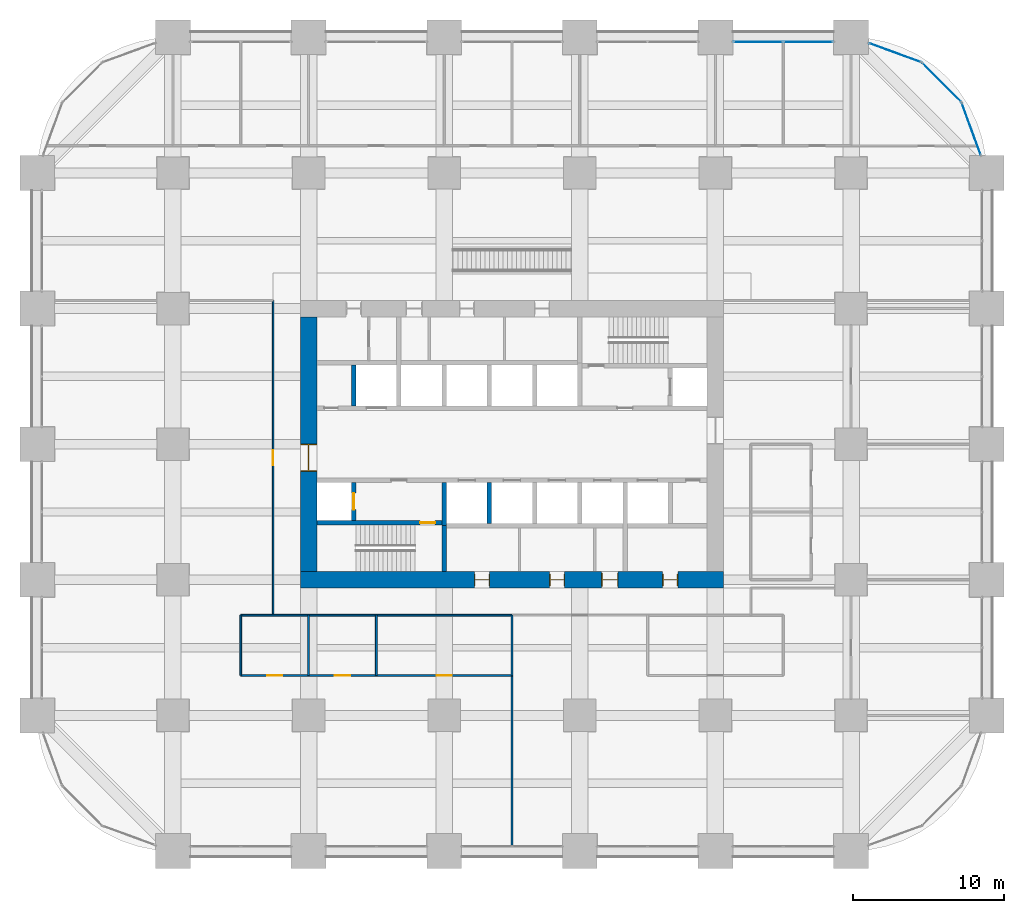
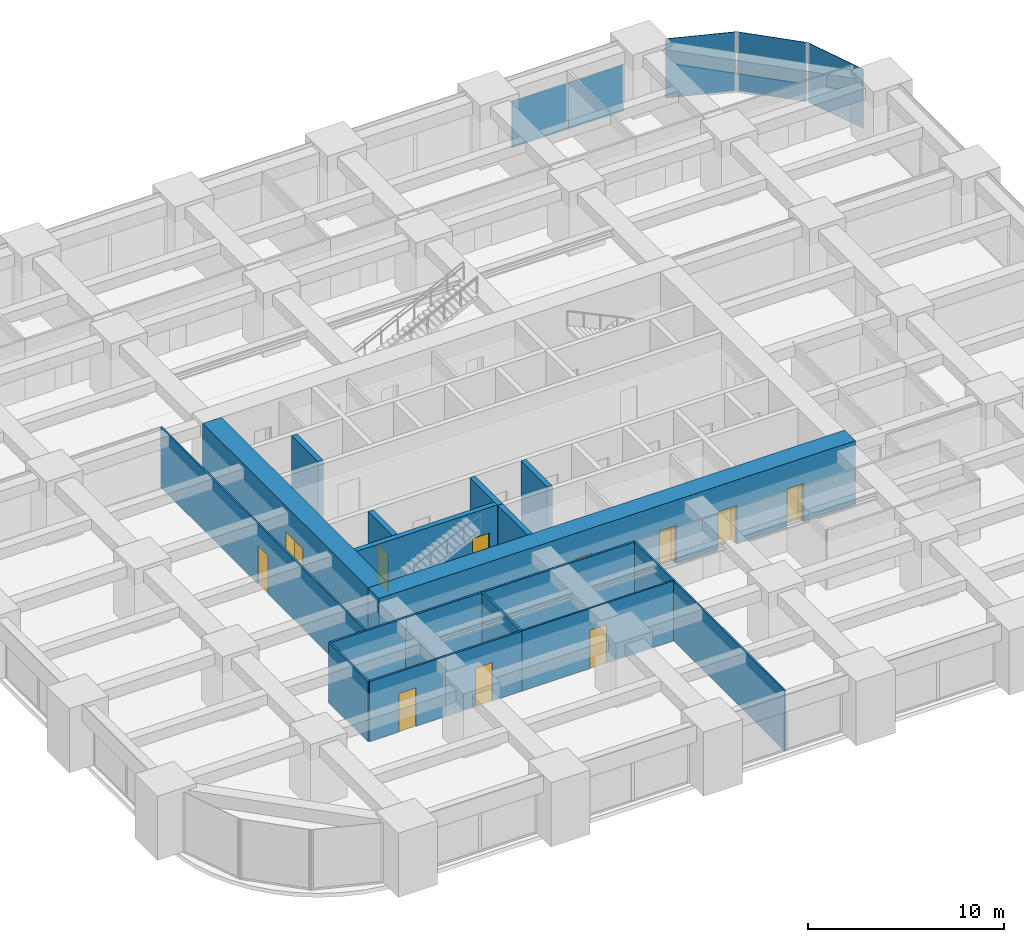
# One storey, part 39 of 44: 20 walls, 11 doors, 5 plates, 11 openings, 4 elements without a shape of their own.
"""IFC4 building model written with IfcOpenShell, lengths in metres."""

from ifc_helpers import new_model, si_unit, direction, frame, frame_2d, origin, origin_2d, place, context, subcontext, project, spatial, rectangle, extrude, material, layer, layer_set, type_object, element, fill, aggregate, save


model = new_model("IFC4")

# Units and contexts
model_context = context("Model", 3, precision=1e-05, world=origin(), true_north=direction((0.0, 1.0)))
body_context = subcontext(model_context, "Body", "Model", "MODEL_VIEW")
ifc_project = project(units=[si_unit("LENGTHUNIT", "METRE"), si_unit("AREAUNIT", "SQUARE_METRE"), si_unit("VOLUMEUNIT", "CUBIC_METRE"), si_unit("PLANEANGLEUNIT", "RADIAN"), si_unit("MASSUNIT", "GRAM", prefix="KILO")], contexts=[model_context])

# Site, building, storey
site_placement = place(None, origin())
site = spatial("IfcSite", under=ifc_project, at=site_placement, CompositionType="ELEMENT")
building_placement = place(site_placement, origin())
building = spatial("IfcBuilding", under=site, at=building_placement, Name="Zorevar Civic Tower", CompositionType="ELEMENT")
storey_placement = place(building_placement, frame((0.0, 0.0, 59.800048828125)))
storey = spatial("IfcBuildingStorey", under=building, at=storey_placement, Name="L14", CompositionType="ELEMENT", Elevation=59.800048828125)

# Curtain wall, plates
ifc_material_1 = material(Name="Dark grey solar-control glass in black aluminium frame", Category="aluminium")
curtain_wall_type = type_object("IfcCurtainWallType", Name="Curtain wall CW2 low zone", PredefinedType="NOTDEFINED", material=ifc_material_1)
curtain_wall_1_placement = place(storey_placement, origin())
curtain_wall_1 = element("IfcCurtainWall", 1, at=curtain_wall_1_placement, inside=storey, type_object=curtain_wall_type, Name="CW2 L14", PredefinedType="NOTDEFINED")
ifc_material_2 = material(Name="Dark grey solar-control glass", Category="glass")
ifc_layer_1 = layer(ifc_material_2, 0.031982421875)
ifc_layer_set_1 = layer_set([ifc_layer_1], Name="CW2 panel 32")
plate_type = type_object("IfcPlateType", Name="CW2 panel 32", PredefinedType="CURTAIN_PANEL", material=ifc_layer_set_1)
plate_1_placement = place(storey_placement, frame((47.840087890625, 53.699951171875, 0.06005859375), z_axis=(0.0, 0.0, 1.0), x_axis=(1.0, 0.0, 0.0)))
plate_1 = element("IfcPlate", 2, at=plate_1_placement, type_object=plate_type, Name="CW2 panel 1.1", PredefinedType="CURTAIN_PANEL", context=body_context, shape_type="SweptSolid", body=[
    extrude(rectangle(XDim=3.260009765625, YDim=0.031982421875, at=origin_2d()), origin(), (0.0, 0.0, 1.0), 2.889892578125),
])
plate_2_placement = place(storey_placement, frame((51.159912109375, 53.699951171875, 0.06005859375), z_axis=(0.0, 0.0, 1.0), x_axis=(1.0, 0.0, 0.0)))
plate_2 = element("IfcPlate", 3, at=plate_2_placement, type_object=plate_type, Name="CW2 panel 2.1", PredefinedType="CURTAIN_PANEL", context=body_context, shape_type="SweptSolid", body=[
    extrude(rectangle(XDim=3.260009765625, YDim=0.031982421875, at=origin_2d()), origin(), (0.0, 0.0, 1.0), 2.889892578125),
])
aggregate(curtain_wall_1, [plate_1, plate_2])

# Curtain wall, plate
curtain_wall_2_placement = place(storey_placement, origin())
curtain_wall_2 = element("IfcCurtainWall", 4, at=curtain_wall_2_placement, inside=storey, type_object=curtain_wall_type, Name="CW2 L14", PredefinedType="NOTDEFINED")
plate_3_placement = place(storey_placement, frame((61.979248046875, 47.914306640625, 0.06005859375), z_axis=(0.0, 0.0, 1.0), x_axis=(-0.343060400701, 0.939313345732, 0.0)))
plate_3 = element("IfcPlate", 5, at=plate_3_placement, type_object=plate_type, Name="CW2 panel 1.1", PredefinedType="CURTAIN_PANEL", context=body_context, shape_type="SweptSolid", body=[
    extrude(rectangle(XDim=3.636474609375, YDim=0.031982421875, at=origin_2d()), origin(), (0.0, 0.0, 1.0), 3.68994140625),
])
aggregate(curtain_wall_2, [plate_3])

curtain_wall_3_placement = place(storey_placement, origin())
curtain_wall_3 = element("IfcCurtainWall", 6, at=curtain_wall_3_placement, inside=storey, type_object=curtain_wall_type, Name="CW2 L14", PredefinedType="NOTDEFINED")
plate_4_placement = place(storey_placement, frame((60.0068359375, 51.0068359375, 0.06005859375), z_axis=(0.0, 0.0, 1.0), x_axis=(-0.707106781187, 0.707106781187, 0.0)))
plate_4 = element("IfcPlate", 7, at=plate_4_placement, type_object=plate_type, Name="CW2 panel 1.1", PredefinedType="CURTAIN_PANEL", context=body_context, shape_type="SweptSolid", body=[
    extrude(rectangle(XDim=3.636474609375, YDim=0.031982421875, at=origin_2d()), origin(), (0.0, 0.0, 1.0), 3.68994140625),
])
aggregate(curtain_wall_3, [plate_4])

curtain_wall_4_placement = place(storey_placement, origin())
curtain_wall_4 = element("IfcCurtainWall", 8, at=curtain_wall_4_placement, inside=storey, type_object=curtain_wall_type, Name="CW2 L14", PredefinedType="NOTDEFINED")
plate_5_placement = place(storey_placement, frame((56.914306640625, 52.979248046875, 0.06005859375), z_axis=(0.0, 0.0, 1.0), x_axis=(-0.939313345732, 0.343060400701, 0.0)))
plate_5 = element("IfcPlate", 9, at=plate_5_placement, type_object=plate_type, Name="CW2 panel 1.1", PredefinedType="CURTAIN_PANEL", context=body_context, shape_type="SweptSolid", body=[
    extrude(rectangle(XDim=3.636474609375, YDim=0.031982421875, at=origin_2d()), origin(), (0.0, 0.0, 1.0), 3.68994140625),
])
aggregate(curtain_wall_4, [plate_5])

# Wall, openings, doors
ifc_material_3 = material(Name="Concrete C50/60", Category="concrete")
ifc_layer_2 = layer(ifc_material_3, 1.10009765625)
ifc_layer_set_2 = layer_set([ifc_layer_2], Name="Core wall 1100")
wall_type_1 = type_object("IfcWallType", Name="Core wall 1100", PredefinedType="SHEAR", material=ifc_layer_set_2)
wall_1_placement = place(storey_placement, frame((17.449951171875, 18.0, 0.0), z_axis=(0.0, 0.0, 1.0), x_axis=(1.0, 0.0, 0.0)))
wall_1 = element("IfcWall", 10, at=wall_1_placement, inside=storey, type_object=wall_type_1, Name="Core wall S L14", PredefinedType="SHEAR", context=body_context, shape_type="SweptSolid", body=[
    extrude(rectangle(XDim=28.10009765625, YDim=1.10009765625, at=frame_2d((14.050048828125, 0.0))), origin(), (0.0, 0.0, 1.0), 4.0),
])
opening_1_placement = place(wall_1_placement, frame((11.550048828125, 0.0, 0.0)))
opening_1 = element("IfcOpeningElement", 11, at=opening_1_placement, cuts=wall_1, Name="Opening L14.03", PredefinedType="OPENING", context=body_context, shape_type="SweptSolid", body=[
    extrude(rectangle(XDim=1.0, YDim=2.39990234375, at=frame_2d((0.5, 1.199951171875))), frame((0.0, 0.56005859375, 0.0), z_axis=(0.0, -1.0, 0.0), x_axis=(1.0, 0.0, 0.0)), (0.0, 0.0, 1.0), 1.1201171875),
])
opening_2_placement = place(wall_1_placement, frame((16.550048828125, 0.0, 0.0)))
opening_2 = element("IfcOpeningElement", 12, at=opening_2_placement, cuts=wall_1, Name="Opening L14.04", PredefinedType="OPENING", context=body_context, shape_type="SweptSolid", body=[
    extrude(rectangle(XDim=1.0, YDim=2.39990234375, at=frame_2d((0.5, 1.199951171875))), frame((0.0, 0.56005859375, 0.0), z_axis=(0.0, -1.0, 0.0), x_axis=(1.0, 0.0, 0.0)), (0.0, 0.0, 1.0), 1.1201171875),
])
opening_3_placement = place(wall_1_placement, frame((20.0, 0.0, 0.0)))
opening_3 = element("IfcOpeningElement", 13, at=opening_3_placement, cuts=wall_1, Name="Opening L14.05", PredefinedType="OPENING", context=body_context, shape_type="SweptSolid", body=[
    extrude(rectangle(XDim=1.10009765625, YDim=2.39990234375, at=frame_2d((0.550048828125, 1.199951171875))), frame((0.0, 0.56005859375, 0.0), z_axis=(0.0, -1.0, 0.0), x_axis=(1.0, 0.0, 0.0)), (0.0, 0.0, 1.0), 1.1201171875),
])
opening_4_placement = place(wall_1_placement, frame((24.050048828125, 0.0, 0.0)))
opening_4 = element("IfcOpeningElement", 14, at=opening_4_placement, cuts=wall_1, Name="Opening L14.06", PredefinedType="OPENING", context=body_context, shape_type="SweptSolid", body=[
    extrude(rectangle(XDim=1.0, YDim=2.39990234375, at=frame_2d((0.5, 1.199951171875))), frame((0.0, 0.56005859375, 0.0), z_axis=(0.0, -1.0, 0.0), x_axis=(1.0, 0.0, 0.0)), (0.0, 0.0, 1.0), 1.1201171875),
])
ifc_material_4 = material(Name="Timber door set", Category="wood")
door_type_1 = type_object("IfcDoorType", Name="Door D1 1000x2400", OperationType="SINGLE_SWING_LEFT", PredefinedType="DOOR", material=ifc_material_4)
door_1_placement = place(opening_1_placement, origin())
door_1 = element("IfcDoor", 15, at=door_1_placement, inside=storey, type_object=door_type_1, Name="Door L14 02", OperationType="SINGLE_SWING_RIGHT", OverallHeight=2.39990234375, OverallWidth=1.0, PredefinedType="DOOR", context=body_context, shape_type="SweptSolid", body=[
    extrude(rectangle(XDim=1.0, YDim=2.39990234375, at=frame_2d((0.5, 1.199951171875))), frame((0.0, 0.02490234375, 0.0), z_axis=(0.0, -1.0, 0.0), x_axis=(1.0, 0.0, 0.0)), (0.0, 0.0, 1.0), 0.050048828125),
    extrude(rectangle(XDim=0.04, YDim=2.39990234375, at=frame_2d((0.02001953125, 1.199951171875))), frame((0.0, 0.39990234375, 0.0), z_axis=(0.0, -1.0, 0.0), x_axis=(1.0, 0.0, 0.0)), (0.0, 0.0, 1.0), 0.800048828125),
    extrude(rectangle(XDim=0.04, YDim=2.39990234375, at=frame_2d((0.97998046875, 1.199951171875))), frame((0.0, 0.39990234375, 0.0), z_axis=(0.0, -1.0, 0.0), x_axis=(1.0, 0.0, 0.0)), (0.0, 0.0, 1.0), 0.800048828125),
    extrude(rectangle(XDim=1.0, YDim=0.04, at=frame_2d((0.5, 2.3798828125))), frame((0.0, 0.39990234375, 0.0), z_axis=(0.0, -1.0, 0.0), x_axis=(1.0, 0.0, 0.0)), (0.0, 0.0, 1.0), 0.800048828125),
])
fill(opening_1, door_1)
door_2_placement = place(opening_2_placement, origin())
door_2 = element("IfcDoor", 16, at=door_2_placement, inside=storey, type_object=door_type_1, Name="Door L14 03", OperationType="SINGLE_SWING_LEFT", OverallHeight=2.39990234375, OverallWidth=1.0, PredefinedType="DOOR", context=body_context, shape_type="SweptSolid", body=[
    extrude(rectangle(XDim=1.0, YDim=2.39990234375, at=frame_2d((0.5, 1.199951171875))), frame((0.0, 0.02490234375, 0.0), z_axis=(0.0, -1.0, 0.0), x_axis=(1.0, 0.0, 0.0)), (0.0, 0.0, 1.0), 0.050048828125),
    extrude(rectangle(XDim=0.04, YDim=2.39990234375, at=frame_2d((0.02001953125, 1.199951171875))), frame((0.0, 0.39990234375, 0.0), z_axis=(0.0, -1.0, 0.0), x_axis=(1.0, 0.0, 0.0)), (0.0, 0.0, 1.0), 0.800048828125),
    extrude(rectangle(XDim=0.04, YDim=2.39990234375, at=frame_2d((0.97998046875, 1.199951171875))), frame((0.0, 0.39990234375, 0.0), z_axis=(0.0, -1.0, 0.0), x_axis=(1.0, 0.0, 0.0)), (0.0, 0.0, 1.0), 0.800048828125),
    extrude(rectangle(XDim=1.0, YDim=0.04, at=frame_2d((0.5, 2.3798828125))), frame((0.0, 0.39990234375, 0.0), z_axis=(0.0, -1.0, 0.0), x_axis=(1.0, 0.0, 0.0)), (0.0, 0.0, 1.0), 0.800048828125),
])
fill(opening_2, door_2)
door_3_placement = place(opening_4_placement, origin())
door_3 = element("IfcDoor", 17, at=door_3_placement, inside=storey, type_object=door_type_1, Name="Door L14 05", OperationType="SINGLE_SWING_LEFT", OverallHeight=2.39990234375, OverallWidth=1.0, PredefinedType="DOOR", context=body_context, shape_type="SweptSolid", body=[
    extrude(rectangle(XDim=1.0, YDim=2.39990234375, at=frame_2d((0.5, 1.199951171875))), frame((0.0, 0.02490234375, 0.0), z_axis=(0.0, -1.0, 0.0), x_axis=(1.0, 0.0, 0.0)), (0.0, 0.0, 1.0), 0.050048828125),
    extrude(rectangle(XDim=0.04, YDim=2.39990234375, at=frame_2d((0.02001953125, 1.199951171875))), frame((0.0, 0.39990234375, 0.0), z_axis=(0.0, -1.0, 0.0), x_axis=(1.0, 0.0, 0.0)), (0.0, 0.0, 1.0), 0.800048828125),
    extrude(rectangle(XDim=0.04, YDim=2.39990234375, at=frame_2d((0.97998046875, 1.199951171875))), frame((0.0, 0.39990234375, 0.0), z_axis=(0.0, -1.0, 0.0), x_axis=(1.0, 0.0, 0.0)), (0.0, 0.0, 1.0), 0.800048828125),
    extrude(rectangle(XDim=1.0, YDim=0.04, at=frame_2d((0.5, 2.3798828125))), frame((0.0, 0.39990234375, 0.0), z_axis=(0.0, -1.0, 0.0), x_axis=(1.0, 0.0, 0.0)), (0.0, 0.0, 1.0), 0.800048828125),
])
fill(opening_4, door_3)
ifc_material_5 = material(Name="Timber door set", Category="wood")
door_type_2 = type_object("IfcDoorType", Name="Door D5 1100x2400", OperationType="SINGLE_SWING_LEFT", PredefinedType="DOOR", material=ifc_material_5)
door_4_placement = place(opening_3_placement, origin())
door_4 = element("IfcDoor", 18, at=door_4_placement, inside=storey, type_object=door_type_2, Name="Door L14 04", OperationType="SINGLE_SWING_LEFT", OverallHeight=2.39990234375, OverallWidth=1.10009765625, PredefinedType="DOOR", context=body_context, shape_type="SweptSolid", body=[
    extrude(rectangle(XDim=1.10009765625, YDim=2.39990234375, at=frame_2d((0.550048828125, 1.199951171875))), frame((0.0, 0.02490234375, 0.0), z_axis=(0.0, -1.0, 0.0), x_axis=(1.0, 0.0, 0.0)), (0.0, 0.0, 1.0), 0.050048828125),
    extrude(rectangle(XDim=0.04, YDim=2.39990234375, at=frame_2d((0.02001953125, 1.199951171875))), frame((0.0, 0.43994140625, 0.0), z_axis=(0.0, -1.0, 0.0), x_axis=(1.0, 0.0, 0.0)), (0.0, 0.0, 1.0), 0.880126953125),
    extrude(rectangle(XDim=0.04, YDim=2.39990234375, at=frame_2d((1.080078125, 1.199951171875))), frame((0.0, 0.43994140625, 0.0), z_axis=(0.0, -1.0, 0.0), x_axis=(1.0, 0.0, 0.0)), (0.0, 0.0, 1.0), 0.880126953125),
    extrude(rectangle(XDim=1.10009765625, YDim=0.04, at=frame_2d((0.550048828125, 2.3798828125))), frame((0.0, 0.43994140625, 0.0), z_axis=(0.0, -1.0, 0.0), x_axis=(1.0, 0.0, 0.0)), (0.0, 0.0, 1.0), 0.880126953125),
])
fill(opening_3, door_4)

# Wall, opening, door
wall_2_placement = place(storey_placement, frame((18.0, 35.449951171875, 0.0), z_axis=(0.0, 0.0, 1.0), x_axis=(0.0, -1.0, 0.0)))
wall_2 = element("IfcWall", 19, at=wall_2_placement, inside=storey, type_object=wall_type_1, Name="Core wall W L14", PredefinedType="SHEAR", context=body_context, shape_type="SweptSolid", body=[
    extrude(rectangle(XDim=16.89990234375, YDim=1.10009765625, at=frame_2d((8.449951171875, 0.0))), origin(), (0.0, 0.0, 1.0), 4.0),
])
opening_5_placement = place(wall_2_placement, frame((8.449951171875, 0.0, 0.0)))
opening_5 = element("IfcOpeningElement", 20, at=opening_5_placement, cuts=wall_2, Name="Opening L14.01", PredefinedType="OPENING", context=body_context, shape_type="SweptSolid", body=[
    extrude(rectangle(XDim=1.800048828125, YDim=2.39990234375, at=frame_2d((0.89990234375, 1.199951171875))), frame((0.0, 0.56005859375, 0.0), z_axis=(0.0, -1.0, 0.0), x_axis=(1.0, 0.0, 0.0)), (0.0, 0.0, 1.0), 1.1201171875),
])
ifc_material_6 = material(Name="Steel door set", Category="steel")
door_type_3 = type_object("IfcDoorType", Name="Fire door FD2 1800x2400", OperationType="DOUBLE_DOOR_DOUBLE_SWING", PredefinedType="DOOR", material=ifc_material_6)
door_5_placement = place(opening_5_placement, origin())
door_5 = element("IfcDoor", 21, at=door_5_placement, inside=storey, type_object=door_type_3, Name="Door L14 00", OperationType="DOUBLE_DOOR_DOUBLE_SWING", OverallHeight=2.39990234375, OverallWidth=1.800048828125, PredefinedType="DOOR", context=body_context, shape_type="SweptSolid", body=[
    extrude(rectangle(XDim=1.800048828125, YDim=2.39990234375, at=frame_2d((0.89990234375, 1.199951171875))), frame((0.0, 0.030029296875, 0.0), z_axis=(0.0, -1.0, 0.0), x_axis=(1.0, 0.0, 0.0)), (0.0, 0.0, 1.0), 0.06005859375),
    extrude(rectangle(XDim=0.04, YDim=2.39990234375, at=frame_2d((0.02001953125, 1.199951171875))), frame((0.0, 0.5498046875, 0.0), z_axis=(0.0, -1.0, 0.0), x_axis=(1.0, 0.0, 0.0)), (0.0, 0.0, 1.0), 1.099609375),
    extrude(rectangle(XDim=0.04, YDim=2.39990234375, at=frame_2d((1.780029296875, 1.199951171875))), frame((0.0, 0.5498046875, 0.0), z_axis=(0.0, -1.0, 0.0), x_axis=(1.0, 0.0, 0.0)), (0.0, 0.0, 1.0), 1.099609375),
    extrude(rectangle(XDim=1.800048828125, YDim=0.04, at=frame_2d((0.89990234375, 2.3798828125))), frame((0.0, 0.5498046875, 0.0), z_axis=(0.0, -1.0, 0.0), x_axis=(1.0, 0.0, 0.0)), (0.0, 0.0, 1.0), 1.099609375),
])
fill(opening_5, door_5)

ifc_material_7 = material(Name="Laminated glass in black aluminium frame", Category="aluminium")
ifc_layer_3 = layer(ifc_material_7, 0.10009765625)
ifc_layer_set_3 = layer_set([ifc_layer_3], Name="Glazed partition 100")
wall_type_2 = type_object("IfcWallType", Name="Glazed partition 100", PredefinedType="PARTITIONING", material=ifc_layer_set_3)
wall_3_placement = place(storey_placement, frame((22.5, 11.64990234375, 0.0), z_axis=(0.0, 0.0, 1.0), x_axis=(1.0, 0.0, 0.0)))
wall_3 = element("IfcWall", 22, at=wall_3_placement, inside=storey, type_object=wall_type_2, Name="Glazed partition 100 L14", PredefinedType="PARTITIONING", context=body_context, shape_type="SweptSolid", body=[
    extrude(rectangle(XDim=9.0, YDim=0.10009765625, at=frame_2d((4.5, 0.0))), origin(), (0.0, 0.0, 1.0), 3.75),
])
opening_6_placement = place(wall_3_placement, frame((4.0, 0.0, 0.0)))
opening_6 = element("IfcOpeningElement", 23, at=opening_6_placement, cuts=wall_3, Name="Opening L14.20", PredefinedType="OPENING", context=body_context, shape_type="SweptSolid", body=[
    extrude(rectangle(XDim=1.0, YDim=2.39990234375, at=frame_2d((0.5, 1.199951171875))), frame((0.0, 0.06005859375, 0.0), z_axis=(0.0, -1.0, 0.0), x_axis=(1.0, 0.0, 0.0)), (0.0, 0.0, 1.0), 0.1201171875),
])
ifc_material_8 = material(Name="Timber door set", Category="wood")
door_type_4 = type_object("IfcDoorType", Name="Glazed door GD1 1000x2400", OperationType="SINGLE_SWING_LEFT", PredefinedType="DOOR", material=ifc_material_8)
door_6_placement = place(opening_6_placement, origin())
door_6 = element("IfcDoor", 24, at=door_6_placement, inside=storey, type_object=door_type_4, Name="Door L14 D1", OperationType="SINGLE_SWING_RIGHT", OverallHeight=2.39990234375, OverallWidth=1.0, PredefinedType="DOOR", context=body_context, shape_type="SweptSolid", body=[
    extrude(rectangle(XDim=1.0, YDim=2.39990234375, at=frame_2d((0.5, 1.199951171875))), frame((0.0, 0.02001953125, 0.0), z_axis=(0.0, -1.0, 0.0), x_axis=(1.0, 0.0, 0.0)), (0.0, 0.0, 1.0), 0.0400390625),
])
fill(opening_6, door_6)

wall_4_placement = place(storey_placement, frame((15.64990234375, 15.64990234375, 0.0), z_axis=(0.0, 0.0, 1.0), x_axis=(0.0, 1.0, 0.0)))
wall_4 = element("IfcWall", 25, at=wall_4_placement, inside=storey, type_object=wall_type_2, Name="Glazed partition 100 L14", PredefinedType="PARTITIONING", context=body_context, shape_type="SweptSolid", body=[
    extrude(rectangle(XDim=20.900146484375, YDim=0.10009765625, at=frame_2d((10.4501953125, 0.0))), origin(), (0.0, 0.0, 1.0), 3.75),
])
opening_7_placement = place(wall_4_placement, frame((9.949951171875, 0.0, 0.0)))
opening_7 = element("IfcOpeningElement", 26, at=opening_7_placement, cuts=wall_4, Name="Opening L14.32", PredefinedType="OPENING", context=body_context, shape_type="SweptSolid", body=[
    extrude(rectangle(XDim=1.0, YDim=2.39990234375, at=frame_2d((0.5, 1.199951171875))), frame((0.0, 0.06005859375, 0.0), z_axis=(0.0, -1.0, 0.0), x_axis=(1.0, 0.0, 0.0)), (0.0, 0.0, 1.0), 0.1201171875),
])
door_7_placement = place(opening_7_placement, origin())
door_7 = element("IfcDoor", 27, at=door_7_placement, inside=storey, type_object=door_type_4, Name="Door L14 D1", OperationType="SINGLE_SWING_LEFT", OverallHeight=2.39990234375, OverallWidth=1.0, PredefinedType="DOOR", context=body_context, shape_type="SweptSolid", body=[
    extrude(rectangle(XDim=1.0, YDim=2.39990234375, at=frame_2d((0.5, 1.199951171875))), frame((0.0, 0.02001953125, 0.0), z_axis=(0.0, -1.0, 0.0), x_axis=(1.0, 0.0, 0.0)), (0.0, 0.0, 1.0), 0.0400390625),
])
fill(opening_7, door_7)

# Wall
wall_5_placement = place(storey_placement, frame((31.5, 0.31005859375, 0.0), z_axis=(0.0, 0.0, 1.0), x_axis=(0.0, 1.0, 0.0)))
element("IfcWall", 28, at=wall_5_placement, inside=storey, type_object=wall_type_2, Name="Glazed partition 100 L14", PredefinedType="PARTITIONING", context=body_context, shape_type="SweptSolid", body=[
    extrude(rectangle(XDim=11.33984375, YDim=0.10009765625, at=frame_2d((5.669921875, 0.0))), origin(), (0.0, 0.0, 1.0), 3.75),
])

# Wall, opening, door
ifc_material_9 = material(Name="Concrete C40/50", Category="concrete")
ifc_layer_4 = layer(ifc_material_9, 0.300048828125)
ifc_layer_set_4 = layer_set([ifc_layer_4], Name="Inner core wall 300")
wall_type_3 = type_object("IfcWallType", Name="Inner core wall 300", PredefinedType="SHEAR", material=ifc_layer_set_4)
wall_6_placement = place(storey_placement, frame((18.550048828125, 21.800048828125, 0.0), z_axis=(0.0, 0.0, 1.0), x_axis=(1.0, 0.0, 0.0)))
wall_6 = element("IfcWall", 29, at=wall_6_placement, inside=storey, type_object=wall_type_3, Name="Inner core wall S00 L14", PredefinedType="SHEAR", context=body_context, shape_type="SweptSolid", body=[
    extrude(rectangle(XDim=8.300048828125, YDim=0.300048828125, at=frame_2d((4.14990234375, 0.0))), origin(), (0.0, 0.0, 1.0), 4.0),
])
opening_8_placement = place(wall_6_placement, frame((6.85009765625, 0.0, 0.0)))
opening_8 = element("IfcOpeningElement", 30, at=opening_8_placement, cuts=wall_6, Name="Opening L14.11", PredefinedType="OPENING", context=body_context, shape_type="SweptSolid", body=[
    extrude(rectangle(XDim=1.0, YDim=2.39990234375, at=frame_2d((0.5, 1.199951171875))), frame((0.0, 0.159912109375, 0.0), z_axis=(0.0, -1.0, 0.0), x_axis=(1.0, 0.0, 0.0)), (0.0, 0.0, 1.0), 0.320068359375),
])
ifc_material_10 = material(Name="Steel door set", Category="steel")
door_type_5 = type_object("IfcDoorType", Name="Fire door FD1 1000x2400", OperationType="SINGLE_SWING_LEFT", PredefinedType="DOOR", material=ifc_material_10)
door_8_placement = place(opening_8_placement, origin())
door_8 = element("IfcDoor", 31, at=door_8_placement, inside=storey, type_object=door_type_5, Name="Door L14 10", OperationType="SINGLE_SWING_RIGHT", OverallHeight=2.39990234375, OverallWidth=1.0, PredefinedType="DOOR", context=body_context, shape_type="SweptSolid", body=[
    extrude(rectangle(XDim=1.0, YDim=2.39990234375, at=frame_2d((0.5, 1.199951171875))), frame((0.0, 0.030029296875, 0.0), z_axis=(0.0, -1.0, 0.0), x_axis=(1.0, 0.0, 0.0)), (0.0, 0.0, 1.0), 0.06005859375),
])
fill(opening_8, door_8)

# Wall
wall_7_placement = place(storey_placement, frame((27.0, 18.550048828125, 0.0), z_axis=(0.0, 0.0, 1.0), x_axis=(0.0, 1.0, 0.0)))
element("IfcWall", 32, at=wall_7_placement, inside=storey, type_object=wall_type_3, Name="Inner core wall S01 L14", PredefinedType="SHEAR", context=body_context, shape_type="SweptSolid", body=[
    extrude(rectangle(XDim=3.050048828125, YDim=0.300048828125, at=frame_2d((1.52490234375, 0.0))), origin(), (0.0, 0.0, 1.0), 4.0),
])

# Wall, opening, door
wall_8_placement = place(storey_placement, frame((21.0, 21.949951171875, 0.0), z_axis=(0.0, 0.0, 1.0), x_axis=(0.0, 1.0, 0.0)))
wall_8 = element("IfcWall", 33, at=wall_8_placement, inside=storey, type_object=wall_type_3, Name="Inner core wall S02 L14", PredefinedType="SHEAR", context=body_context, shape_type="SweptSolid", body=[
    extrude(rectangle(XDim=2.5, YDim=0.300048828125, at=frame_2d((1.25, 0.0))), origin(), (0.0, 0.0, 1.0), 4.0),
])
opening_9_placement = place(wall_8_placement, frame((0.699951171875, 0.0, 0.0)))
opening_9 = element("IfcOpeningElement", 34, at=opening_9_placement, cuts=wall_8, Name="Opening L14.FL1", PredefinedType="OPENING", context=body_context, shape_type="SweptSolid", body=[
    extrude(rectangle(XDim=1.10009765625, YDim=2.39990234375, at=frame_2d((0.550048828125, 1.199951171875))), frame((0.0, 0.159912109375, 0.0), z_axis=(0.0, -1.0, 0.0), x_axis=(1.0, 0.0, 0.0)), (0.0, 0.0, 1.0), 0.320068359375),
])
ifc_material_11 = material(Name="Steel door set", Category="steel")
door_type_6 = type_object("IfcDoorType", Name="Firefighting lift landing door LD3 1100x2400", OperationType="DOUBLE_DOOR_SLIDING", PredefinedType="DOOR", material=ifc_material_11)
door_9_placement = place(opening_9_placement, origin())
door_9 = element("IfcDoor", 35, at=door_9_placement, inside=storey, type_object=door_type_6, Name="Landing door FL1 L14", OperationType="DOUBLE_DOOR_SLIDING", OverallHeight=2.39990234375, OverallWidth=1.10009765625, PredefinedType="DOOR", context=body_context, shape_type="SweptSolid", body=[
    extrude(rectangle(XDim=1.10009765625, YDim=2.39990234375, at=frame_2d((0.550048828125, 1.199951171875))), frame((0.0, 0.030029296875, 0.0), z_axis=(0.0, -1.0, 0.0), x_axis=(1.0, 0.0, 0.0)), (0.0, 0.0, 1.0), 0.06005859375),
])
fill(opening_9, door_9)

# Walls
for number, where, z_axis, x_axis, name in (
    (36, (30.0, 21.75, 0.0), (0.0, 0.0, 1.0), (0.0, 1.0, 0.0), "Inner core wall S05 L14"),
    (37, (21.0, 29.550048828125, 0.0), (0.0, 0.0, 1.0), (0.0, 1.0, 0.0), "Inner core wall N09 L14"),
):
    element("IfcWall", number, at=place(storey_placement, frame(where, z_axis=z_axis, x_axis=x_axis)), inside=storey, type_object=wall_type_3, Name=name, PredefinedType="SHEAR", context=body_context, shape_type="SweptSolid", body=[
        extrude(rectangle(XDim=2.699951171875, YDim=0.300048828125, at=frame_2d((1.35009765625, 0.0))), origin(), (0.0, 0.0, 1.0), 4.0),
    ])
wall_9_placement = place(storey_placement, frame((27.0, 21.60009765625, 0.0), z_axis=(0.0, 0.0, 1.0), x_axis=(0.0, 1.0, 0.0)))
element("IfcWall", 38, at=wall_9_placement, inside=storey, type_object=wall_type_3, Name="Inner core wall S10 L14", PredefinedType="SHEAR", context=body_context, shape_type="SweptSolid", body=[
    extrude(rectangle(XDim=2.849853515625, YDim=0.300048828125, at=frame_2d((1.4248046875, 0.0))), origin(), (0.0, 0.0, 1.0), 4.0),
])

# Wall, opening, door
ifc_material_12 = material(Name="Gypsum board on steel studs", Category="steel")
ifc_layer_5 = layer(ifc_material_12, 0.1201171875)
ifc_layer_set_5 = layer_set([ifc_layer_5], Name="Partition 120")
wall_type_4 = type_object("IfcWallType", Name="Partition 120", PredefinedType="PARTITIONING", material=ifc_layer_set_5)
wall_10_placement = place(storey_placement, frame((13.5, 11.64990234375, 0.0), z_axis=(0.0, 0.0, 1.0), x_axis=(1.0, 0.0, 0.0)))
wall_10 = element("IfcWall", 39, at=wall_10_placement, inside=storey, type_object=wall_type_4, Name="Partition 120 L14", PredefinedType="PARTITIONING", context=body_context, shape_type="SweptSolid", body=[
    extrude(rectangle(XDim=4.5, YDim=0.1201171875, at=frame_2d((2.25, 0.0))), origin(), (0.0, 0.0, 1.0), 3.75),
])
opening_10_placement = place(wall_10_placement, frame((1.75, 0.0, 0.0)))
opening_10 = element("IfcOpeningElement", 40, at=opening_10_placement, cuts=wall_10, Name="Opening L14.17", PredefinedType="OPENING", context=body_context, shape_type="SweptSolid", body=[
    extrude(rectangle(XDim=1.0, YDim=2.39990234375, at=frame_2d((0.5, 1.199951171875))), frame((0.0, 0.070068359375, 0.0), z_axis=(0.0, -1.0, 0.0), x_axis=(1.0, 0.0, 0.0)), (0.0, 0.0, 1.0), 0.14013671875),
])
door_10_placement = place(opening_10_placement, origin())
door_10 = element("IfcDoor", 41, at=door_10_placement, inside=storey, type_object=door_type_1, Name="Door L14 D1", OperationType="SINGLE_SWING_LEFT", OverallHeight=2.39990234375, OverallWidth=1.0, PredefinedType="DOOR", context=body_context, shape_type="SweptSolid", body=[
    extrude(rectangle(XDim=1.0, YDim=2.39990234375, at=frame_2d((0.5, 1.199951171875))), frame((0.0, 0.02490234375, 0.0), z_axis=(0.0, -1.0, 0.0), x_axis=(1.0, 0.0, 0.0)), (0.0, 0.0, 1.0), 0.050048828125),
])
fill(opening_10, door_10)

wall_11_placement = place(storey_placement, frame((18.0, 11.64990234375, 0.0), z_axis=(0.0, 0.0, 1.0), x_axis=(1.0, 0.0, 0.0)))
wall_11 = element("IfcWall", 42, at=wall_11_placement, inside=storey, type_object=wall_type_4, Name="Partition 120 L14", PredefinedType="PARTITIONING", context=body_context, shape_type="SweptSolid", body=[
    extrude(rectangle(XDim=4.5, YDim=0.1201171875, at=frame_2d((2.25, 0.0))), origin(), (0.0, 0.0, 1.0), 3.75),
])
opening_11_placement = place(wall_11_placement, frame((1.75, 0.0, 0.0)))
opening_11 = element("IfcOpeningElement", 43, at=opening_11_placement, cuts=wall_11, Name="Opening L14.18", PredefinedType="OPENING", context=body_context, shape_type="SweptSolid", body=[
    extrude(rectangle(XDim=1.0, YDim=2.39990234375, at=frame_2d((0.5, 1.199951171875))), frame((0.0, 0.070068359375, 0.0), z_axis=(0.0, -1.0, 0.0), x_axis=(1.0, 0.0, 0.0)), (0.0, 0.0, 1.0), 0.14013671875),
])
door_11_placement = place(opening_11_placement, origin())
door_11 = element("IfcDoor", 44, at=door_11_placement, inside=storey, type_object=door_type_1, Name="Door L14 D1", OperationType="SINGLE_SWING_RIGHT", OverallHeight=2.39990234375, OverallWidth=1.0, PredefinedType="DOOR", context=body_context, shape_type="SweptSolid", body=[
    extrude(rectangle(XDim=1.0, YDim=2.39990234375, at=frame_2d((0.5, 1.199951171875))), frame((0.0, 0.02490234375, 0.0), z_axis=(0.0, -1.0, 0.0), x_axis=(1.0, 0.0, 0.0)), (0.0, 0.0, 1.0), 0.050048828125),
])
fill(opening_11, door_11)

# Walls
for number, where, z_axis, x_axis, name in (
    (45, (13.5, 15.64990234375, 0.0), (0.0, 0.0, 1.0), (1.0, 0.0, 0.0), "Partition 120 L14"),
    (46, (18.0, 15.64990234375, 0.0), (0.0, 0.0, 1.0), (1.0, 0.0, 0.0), "Partition 120 L14"),
):
    element("IfcWall", number, at=place(storey_placement, frame(where, z_axis=z_axis, x_axis=x_axis)), inside=storey, type_object=wall_type_4, Name=name, PredefinedType="PARTITIONING", context=body_context, shape_type="SweptSolid", body=[
        extrude(rectangle(XDim=4.5, YDim=0.1201171875, at=frame_2d((2.25, 0.0))), origin(), (0.0, 0.0, 1.0), 3.75),
    ])
wall_12_placement = place(storey_placement, frame((22.5, 15.64990234375, 0.0), z_axis=(0.0, 0.0, 1.0), x_axis=(1.0, 0.0, 0.0)))
element("IfcWall", 47, at=wall_12_placement, inside=storey, type_object=wall_type_4, Name="Partition 120 L14", PredefinedType="PARTITIONING", context=body_context, shape_type="SweptSolid", body=[
    extrude(rectangle(XDim=9.0, YDim=0.1201171875, at=frame_2d((4.5, 0.0))), origin(), (0.0, 0.0, 1.0), 3.75),
])
wall_13_placement = place(storey_placement, frame((13.5, 11.64990234375, 0.0), z_axis=(0.0, 0.0, 1.0), x_axis=(0.0, 1.0, 0.0)))
element("IfcWall", 48, at=wall_13_placement, inside=storey, type_object=wall_type_4, Name="Partition 120 L14", PredefinedType="PARTITIONING", context=body_context, shape_type="SweptSolid", body=[
    extrude(rectangle(XDim=4.0, YDim=0.1201171875, at=frame_2d((2.0, 0.0))), origin(), (0.0, 0.0, 1.0), 3.75),
])
wall_14_placement = place(storey_placement, frame((18.0, 11.64990234375, 0.0), z_axis=(0.0, 0.0, 1.0), x_axis=(0.0, 1.0, 0.0)))
element("IfcWall", 49, at=wall_14_placement, inside=storey, type_object=wall_type_4, Name="Partition 120 L14", PredefinedType="PARTITIONING", context=body_context, shape_type="SweptSolid", body=[
    extrude(rectangle(XDim=4.0, YDim=0.1201171875, at=frame_2d((2.0, 0.0))), origin(), (0.0, 0.0, 1.0), 3.050048828125),
])
for number, where, z_axis, x_axis, name in (
    (50, (22.5, 11.64990234375, 0.0), (0.0, 0.0, 1.0), (0.0, 1.0, 0.0), "Partition 120 L14"),
    (51, (31.5, 11.64990234375, 0.0), (0.0, 0.0, 1.0), (0.0, 1.0, 0.0), "Partition 120 L14"),
):
    element("IfcWall", number, at=place(storey_placement, frame(where, z_axis=z_axis, x_axis=x_axis)), inside=storey, type_object=wall_type_4, Name=name, PredefinedType="PARTITIONING", context=body_context, shape_type="SweptSolid", body=[
        extrude(rectangle(XDim=4.0, YDim=0.1201171875, at=frame_2d((2.0, 0.0))), origin(), (0.0, 0.0, 1.0), 3.75),
    ])

save(model, "model.ifc")
